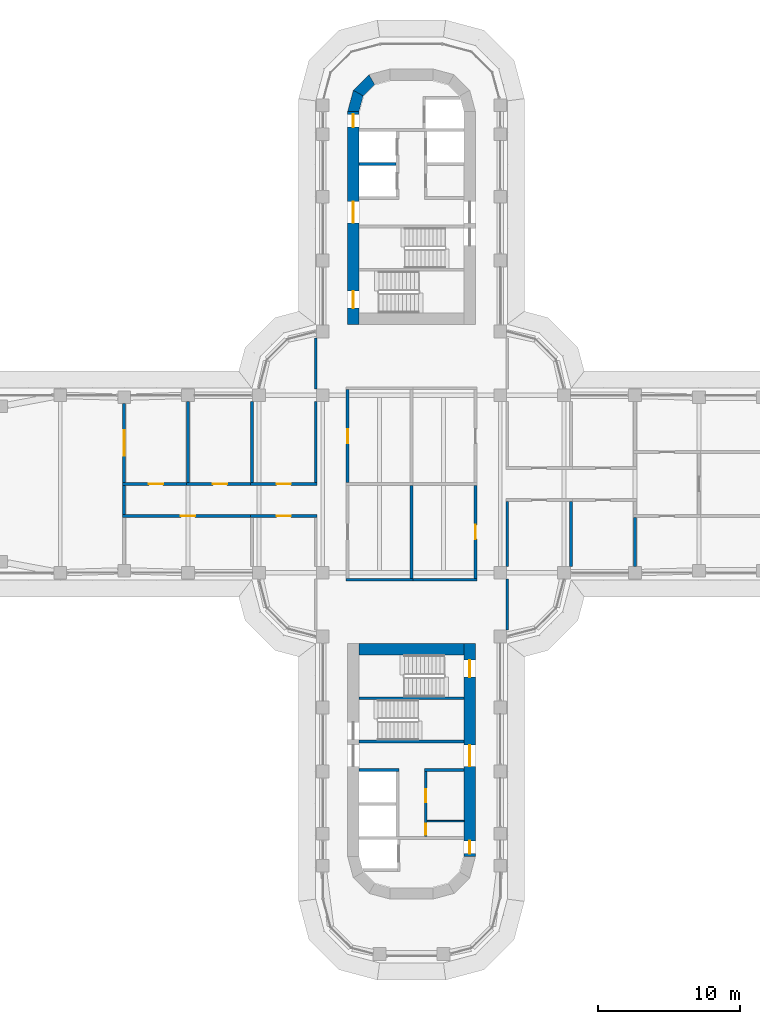
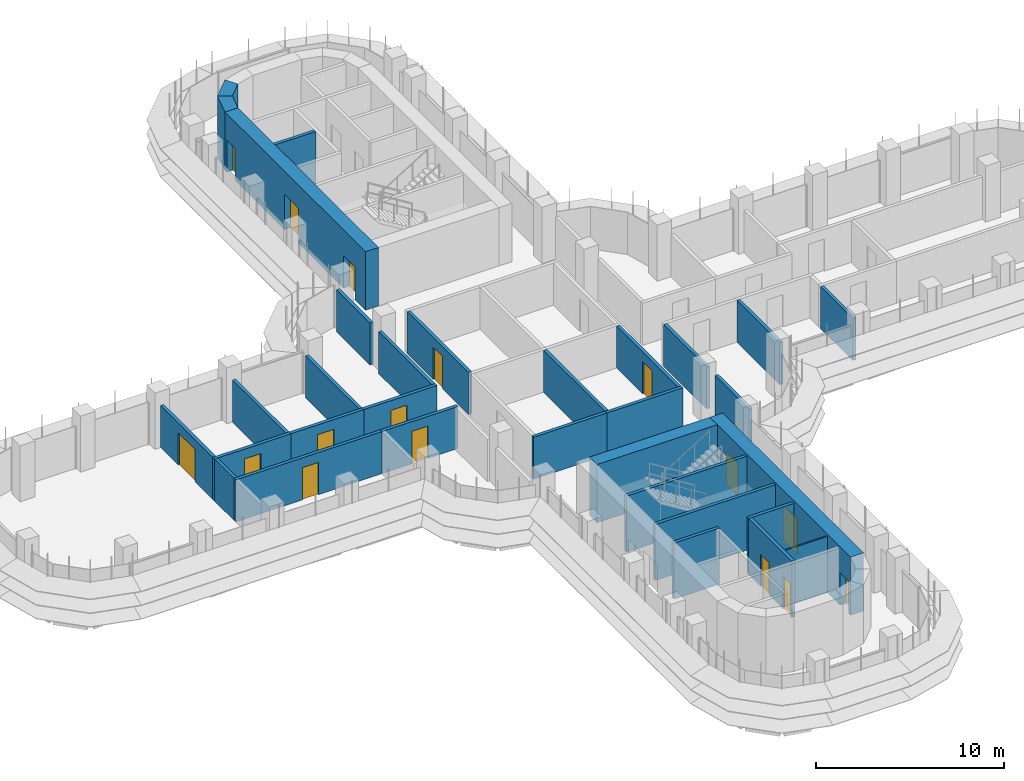
# One storey, part 16 of 22: 32 walls, 16 doors, 16 openings.
"""IFC4 building model written with IfcOpenShell, lengths in metres."""

from ifc_helpers import new_model, si_unit, direction, frame, frame_2d, origin, place, context, subcontext, project, spatial, polyline, rectangle, outline, extrude, material, layer, layer_set, type_object, element, fill, save


model = new_model("IFC4")

# Units and contexts
model_context = context("Model", 3, precision=1e-05, world=origin(), true_north=direction((0.0, 1.0)))
body_context = subcontext(model_context, "Body", "Model", "MODEL_VIEW")
ifc_project = project(units=[si_unit("LENGTHUNIT", "METRE"), si_unit("AREAUNIT", "SQUARE_METRE"), si_unit("VOLUMEUNIT", "CUBIC_METRE"), si_unit("PLANEANGLEUNIT", "RADIAN"), si_unit("MASSUNIT", "GRAM", prefix="KILO")], contexts=[model_context])

# Site, building, storey
site_placement = place(None, origin())
site = spatial("IfcSite", under=ifc_project, at=site_placement, CompositionType="ELEMENT")
building_placement = place(site_placement, origin())
building = spatial("IfcBuilding", under=site, at=building_placement, Name="Zarbagh Exchange Tower", CompositionType="ELEMENT")
storey_placement = place(building_placement, frame((0.0, 0.0, 113.199951171875)))
storey = spatial("IfcBuildingStorey", under=building, at=storey_placement, Name="L26", CompositionType="ELEMENT", Elevation=113.199951171875)

# Wall
ifc_material_1 = material(Name="Dense blockwork", Category="masonry")
ifc_layer_1 = layer(ifc_material_1, 0.10009765625)
ifc_layer_set_1 = layer_set([ifc_layer_1], Name="Core partition 100 mm blockwork")
wall_type_1 = type_object("IfcWallType", Name="Core partition 100 mm blockwork", PredefinedType="PARTITIONING", material=ifc_layer_set_1)
wall_1_placement = place(storey_placement, frame((3.699951171875, -23.75, 0.0), z_axis=(0.0, 0.0, 1.0), x_axis=(-1.0, 0.0, 0.0)))
element("IfcWall", 1, at=wall_1_placement, inside=storey, type_object=wall_type_1, Name="South core partition wall CUT-W-460", PredefinedType="PARTITIONING", context=body_context, shape_type="SweptSolid", body=[
    extrude(rectangle(XDim=2.599853515625, YDim=0.10009765625, at=frame_2d((1.2998046875, 0.0))), origin(), (0.0, 0.0, 1.0), 3.650146484375),
])

# Wall, opening, door
ifc_material_2 = material(Name="Fire-rated plasterboard partition")
ifc_layer_2 = layer(ifc_material_2, 0.199951171875)
ifc_layer_set_2 = layer_set([ifc_layer_2], Name="RATED PARTITION 200")
wall_type_2 = type_object("IfcWallType", Name="RATED PARTITION 200", PredefinedType="PARTITIONING", material=ifc_layer_set_2)
wall_2_placement = place(storey_placement, frame((-4.5, 6.64990234375, 0.0), z_axis=(0.0, 0.0, 1.0), x_axis=(0.0, -1.0, 0.0)))
wall_2 = element("IfcWall", 2, at=wall_2_placement, inside=storey, type_object=wall_type_2, Name="Partition W-901", PredefinedType="PARTITIONING", context=body_context, shape_type="SweptSolid", body=[
    extrude(rectangle(XDim=6.5498046875, YDim=0.199951171875, at=frame_2d((3.27490234375, 0.0))), origin(), (0.0, 0.0, 1.0), 2.738037109375),
])
opening_1_placement = place(wall_2_placement, frame((2.77490234375, 0.0, 0.0)))
opening_1 = element("IfcOpeningElement", 3, at=opening_1_placement, cuts=wall_2, Name="Opening D-902", PredefinedType="OPENING", context=body_context, shape_type="SweptSolid", body=[
    extrude(rectangle(XDim=1.0, YDim=2.10009765625, at=frame_2d((0.5, 1.050048828125))), frame((0.0, 0.10986328125, 0.0), z_axis=(0.0, -1.0, 0.0), x_axis=(1.0, 0.0, 0.0)), (0.0, 0.0, 1.0), 0.219970703125),
])
ifc_material_3 = material(Name="Steel door set", Category="steel")
door_type_1 = type_object("IfcDoorType", Name="FIRE DOOR 1000 X 2100 FD30S", OperationType="NOTDEFINED", PredefinedType="DOOR", material=ifc_material_3)
door_1_placement = place(opening_1_placement, origin())
door_1 = element("IfcDoor", 4, at=door_1_placement, inside=storey, type_object=door_type_1, Name="Door D-902", OperationType="SINGLE_SWING_RIGHT", OverallHeight=2.10009765625, OverallWidth=1.0, PredefinedType="DOOR", context=body_context, shape_type="SweptSolid", body=[
    extrude(rectangle(XDim=1.0, YDim=2.10009765625, at=frame_2d((0.5, 1.050048828125))), frame((0.0, 0.02490234375, 0.0), z_axis=(0.0, -1.0, 0.0), x_axis=(1.0, 0.0, 0.0)), (0.0, 0.0, 1.0), 0.050048828125),
])
fill(opening_1, door_1)

# Walls
wall_3_placement = place(storey_placement, frame((-6.75, 0.10009765625, 0.0), z_axis=(0.0, 0.0, 1.0), x_axis=(0.0, 1.0, 0.0)))
element("IfcWall", 5, at=wall_3_placement, inside=storey, type_object=wall_type_2, Name="Partition W-903", PredefinedType="PARTITIONING", context=body_context, shape_type="SweptSolid", body=[
    extrude(rectangle(XDim=5.699951171875, YDim=0.199951171875, at=frame_2d((2.85009765625, 0.0))), origin(), (0.0, 0.0, 1.0), 2.738037109375),
])
wall_4_placement = place(storey_placement, frame((-6.75, 6.699951171875, 0.0), z_axis=(0.0, 0.0, 1.0), x_axis=(0.0, 1.0, 0.0)))
element("IfcWall", 6, at=wall_4_placement, inside=storey, type_object=wall_type_2, Name="Partition W-904", PredefinedType="PARTITIONING", context=body_context, shape_type="SweptSolid", body=[
    extrude(rectangle(XDim=3.60009765625, YDim=0.199951171875, at=frame_2d((1.800048828125, 0.0))), origin(), (0.0, 0.0, 1.0), 2.738037109375),
])

# Wall, opening, door
wall_5_placement = place(storey_placement, frame((4.5, -6.64990234375, 0.0), z_axis=(0.0, 0.0, 1.0), x_axis=(0.0, 1.0, 0.0)))
wall_5 = element("IfcWall", 7, at=wall_5_placement, inside=storey, type_object=wall_type_2, Name="Partition W-908", PredefinedType="PARTITIONING", context=body_context, shape_type="SweptSolid", body=[
    extrude(rectangle(XDim=6.5498046875, YDim=0.199951171875, at=frame_2d((3.27490234375, 0.0))), origin(), (0.0, 0.0, 1.0), 2.738037109375),
])
opening_2_placement = place(wall_5_placement, frame((2.77490234375, 0.0, 0.0)))
opening_2 = element("IfcOpeningElement", 8, at=opening_2_placement, cuts=wall_5, Name="Opening D-903", PredefinedType="OPENING", context=body_context, shape_type="SweptSolid", body=[
    extrude(rectangle(XDim=1.0, YDim=2.10009765625, at=frame_2d((0.5, 1.050048828125))), frame((0.0, 0.10986328125, 0.0), z_axis=(0.0, -1.0, 0.0), x_axis=(1.0, 0.0, 0.0)), (0.0, 0.0, 1.0), 0.219970703125),
])
door_2_placement = place(opening_2_placement, origin())
door_2 = element("IfcDoor", 9, at=door_2_placement, inside=storey, type_object=door_type_1, Name="Door D-903", OperationType="SINGLE_SWING_RIGHT", OverallHeight=2.10009765625, OverallWidth=1.0, PredefinedType="DOOR", context=body_context, shape_type="SweptSolid", body=[
    extrude(rectangle(XDim=1.0, YDim=2.10009765625, at=frame_2d((0.5, 1.050048828125))), frame((0.0, 0.02490234375, 0.0), z_axis=(0.0, -1.0, 0.0), x_axis=(1.0, 0.0, 0.0)), (0.0, 0.0, 1.0), 0.050048828125),
])
fill(opening_2, door_2)

# Walls
wall_6_placement = place(storey_placement, frame((6.75, -10.300048828125, 0.0), z_axis=(0.0, 0.0, 1.0), x_axis=(0.0, 1.0, 0.0)))
element("IfcWall", 10, at=wall_6_placement, inside=storey, type_object=wall_type_2, Name="Partition W-911", PredefinedType="PARTITIONING", context=body_context, shape_type="SweptSolid", body=[
    extrude(rectangle(XDim=3.60009765625, YDim=0.199951171875, at=frame_2d((1.800048828125, 0.0))), origin(), (0.0, 0.0, 1.0), 2.738037109375),
])
wall_7_placement = place(storey_placement, frame((6.75, -5.800048828125, 0.0), z_axis=(0.0, 0.0, 1.0), x_axis=(0.0, 1.0, 0.0)))
element("IfcWall", 11, at=wall_7_placement, inside=storey, type_object=wall_type_2, Name="Partition W-912", PredefinedType="PARTITIONING", context=body_context, shape_type="SweptSolid", body=[
    extrude(rectangle(XDim=4.574951171875, YDim=0.199951171875, at=frame_2d((2.28759765625, 0.0))), origin(), (0.0, 0.0, 1.0), 2.738037109375),
])
for number, where, z_axis, x_axis, name in (
    (12, (-4.60009765625, -6.75, 0.0), (0.0, 0.0, 1.0), (1.0, 0.0, 0.0), "Partition W-915"),
    (13, (-0.10009765625, -6.75, 0.0), (0.0, 0.0, 1.0), (1.0, 0.0, 0.0), "Partition W-916"),
):
    element("IfcWall", number, at=place(storey_placement, frame(where, z_axis=z_axis, x_axis=x_axis)), inside=storey, type_object=wall_type_2, Name=name, PredefinedType="PARTITIONING", context=body_context, shape_type="SweptSolid", body=[
        extrude(rectangle(XDim=4.7001953125, YDim=0.199951171875, at=frame_2d((2.35009765625, 0.0))), origin(), (0.0, 0.0, 1.0), 2.738037109375),
    ])
wall_8_placement = place(storey_placement, frame((0.0, -6.64990234375, 0.0), z_axis=(0.0, 0.0, 1.0), x_axis=(0.0, 1.0, 0.0)))
element("IfcWall", 14, at=wall_8_placement, inside=storey, type_object=wall_type_2, Name="Partition W-920", PredefinedType="PARTITIONING", context=body_context, shape_type="SweptSolid", body=[
    extrude(rectangle(XDim=6.5498046875, YDim=0.199951171875, at=frame_2d((3.27490234375, 0.0))), origin(), (0.0, 0.0, 1.0), 2.738037109375),
])
wall_9_placement = place(storey_placement, frame((11.25, -5.800048828125, 0.0), z_axis=(0.0, 0.0, 1.0), x_axis=(0.0, 1.0, 0.0)))
element("IfcWall", 15, at=wall_9_placement, inside=storey, type_object=wall_type_2, Name="Partition W-926", PredefinedType="PARTITIONING", context=body_context, shape_type="SweptSolid", body=[
    extrude(rectangle(XDim=4.574951171875, YDim=0.199951171875, at=frame_2d((2.28759765625, 0.0))), origin(), (0.0, 0.0, 1.0), 2.738037109375),
])
wall_10_placement = place(storey_placement, frame((15.75, -5.800048828125, 0.0), z_axis=(0.0, 0.0, 1.0), x_axis=(0.0, 1.0, 0.0)))
element("IfcWall", 16, at=wall_10_placement, inside=storey, type_object=wall_type_2, Name="Partition W-930", PredefinedType="PARTITIONING", context=body_context, shape_type="SweptSolid", body=[
    extrude(rectangle(XDim=3.449951171875, YDim=0.199951171875, at=frame_2d((1.72509765625, 0.0))), origin(), (0.0, 0.0, 1.0), 2.738037109375),
])

# Wall, opening, door
wall_11_placement = place(storey_placement, frame((-11.35009765625, 0.0, 0.0), z_axis=(0.0, 0.0, 1.0), x_axis=(1.0, 0.0, 0.0)))
wall_11 = element("IfcWall", 17, at=wall_11_placement, inside=storey, type_object=wall_type_2, Name="Partition W-938", PredefinedType="PARTITIONING", context=body_context, shape_type="SweptSolid", body=[
    extrude(rectangle(XDim=4.7001953125, YDim=0.199951171875, at=frame_2d((2.35009765625, 0.0))), origin(), (0.0, 0.0, 1.0), 2.738037109375),
])
opening_3_placement = place(wall_11_placement, frame((1.85009765625, 0.0, 0.0)))
opening_3 = element("IfcOpeningElement", 18, at=opening_3_placement, cuts=wall_11, Name="Opening D-913", PredefinedType="OPENING", context=body_context, shape_type="SweptSolid", body=[
    extrude(rectangle(XDim=1.0, YDim=2.10009765625, at=frame_2d((0.5, 1.050048828125))), frame((0.0, 0.10986328125, 0.0), z_axis=(0.0, -1.0, 0.0), x_axis=(1.0, 0.0, 0.0)), (0.0, 0.0, 1.0), 0.219970703125),
])
door_3_placement = place(opening_3_placement, origin())
door_3 = element("IfcDoor", 19, at=door_3_placement, inside=storey, type_object=door_type_1, Name="Door D-913", OperationType="SINGLE_SWING_RIGHT", OverallHeight=2.10009765625, OverallWidth=1.0, PredefinedType="DOOR", context=body_context, shape_type="SweptSolid", body=[
    extrude(rectangle(XDim=1.0, YDim=2.10009765625, at=frame_2d((0.5, 1.050048828125))), frame((0.0, 0.02490234375, 0.0), z_axis=(0.0, -1.0, 0.0), x_axis=(1.0, 0.0, 0.0)), (0.0, 0.0, 1.0), 0.050048828125),
])
fill(opening_3, door_3)

wall_12_placement = place(storey_placement, frame((-6.64990234375, -2.25, 0.0), z_axis=(0.0, 0.0, 1.0), x_axis=(-1.0, 0.0, 0.0)))
wall_12 = element("IfcWall", 20, at=wall_12_placement, inside=storey, type_object=wall_type_2, Name="Partition W-939", PredefinedType="PARTITIONING", context=body_context, shape_type="SweptSolid", body=[
    extrude(rectangle(XDim=4.7001953125, YDim=0.199951171875, at=frame_2d((2.35009765625, 0.0))), origin(), (0.0, 0.0, 1.0), 2.738037109375),
])
opening_4_placement = place(wall_12_placement, frame((1.85009765625, 0.0, 0.0)))
opening_4 = element("IfcOpeningElement", 21, at=opening_4_placement, cuts=wall_12, Name="Opening D-916", PredefinedType="OPENING", context=body_context, shape_type="SweptSolid", body=[
    extrude(rectangle(XDim=1.0, YDim=2.10009765625, at=frame_2d((0.5, 1.050048828125))), frame((0.0, 0.10986328125, 0.0), z_axis=(0.0, -1.0, 0.0), x_axis=(1.0, 0.0, 0.0)), (0.0, 0.0, 1.0), 0.219970703125),
])
door_4_placement = place(opening_4_placement, origin())
door_4 = element("IfcDoor", 22, at=door_4_placement, inside=storey, type_object=door_type_1, Name="Door D-916", OperationType="SINGLE_SWING_RIGHT", OverallHeight=2.10009765625, OverallWidth=1.0, PredefinedType="DOOR", context=body_context, shape_type="SweptSolid", body=[
    extrude(rectangle(XDim=1.0, YDim=2.10009765625, at=frame_2d((0.5, 1.050048828125))), frame((0.0, 0.02490234375, 0.0), z_axis=(0.0, -1.0, 0.0), x_axis=(1.0, 0.0, 0.0)), (0.0, 0.0, 1.0), 0.050048828125),
])
fill(opening_4, door_4)

wall_13_placement = place(storey_placement, frame((-15.85009765625, 0.0, 0.0), z_axis=(0.0, 0.0, 1.0), x_axis=(1.0, 0.0, 0.0)))
wall_13 = element("IfcWall", 23, at=wall_13_placement, inside=storey, type_object=wall_type_2, Name="Partition W-940", PredefinedType="PARTITIONING", context=body_context, shape_type="SweptSolid", body=[
    extrude(rectangle(XDim=4.7001953125, YDim=0.199951171875, at=frame_2d((2.35009765625, 0.0))), origin(), (0.0, 0.0, 1.0), 2.738037109375),
])
opening_5_placement = place(wall_13_placement, frame((1.85009765625, 0.0, 0.0)))
opening_5 = element("IfcOpeningElement", 24, at=opening_5_placement, cuts=wall_13, Name="Opening D-914", PredefinedType="OPENING", context=body_context, shape_type="SweptSolid", body=[
    extrude(rectangle(XDim=1.0, YDim=2.10009765625, at=frame_2d((0.5, 1.050048828125))), frame((0.0, 0.10986328125, 0.0), z_axis=(0.0, -1.0, 0.0), x_axis=(1.0, 0.0, 0.0)), (0.0, 0.0, 1.0), 0.219970703125),
])
door_5_placement = place(opening_5_placement, origin())
door_5 = element("IfcDoor", 25, at=door_5_placement, inside=storey, type_object=door_type_1, Name="Door D-914", OperationType="SINGLE_SWING_RIGHT", OverallHeight=2.10009765625, OverallWidth=1.0, PredefinedType="DOOR", context=body_context, shape_type="SweptSolid", body=[
    extrude(rectangle(XDim=1.0, YDim=2.10009765625, at=frame_2d((0.5, 1.050048828125))), frame((0.0, 0.02490234375, 0.0), z_axis=(0.0, -1.0, 0.0), x_axis=(1.0, 0.0, 0.0)), (0.0, 0.0, 1.0), 0.050048828125),
])
fill(opening_5, door_5)

wall_14_placement = place(storey_placement, frame((-20.35009765625, 0.0, 0.0), z_axis=(0.0, 0.0, 1.0), x_axis=(1.0, 0.0, 0.0)))
wall_14 = element("IfcWall", 26, at=wall_14_placement, inside=storey, type_object=wall_type_2, Name="Partition W-941", PredefinedType="PARTITIONING", context=body_context, shape_type="SweptSolid", body=[
    extrude(rectangle(XDim=4.7001953125, YDim=0.199951171875, at=frame_2d((2.35009765625, 0.0))), origin(), (0.0, 0.0, 1.0), 2.738037109375),
])
opening_6_placement = place(wall_14_placement, frame((1.85009765625, 0.0, 0.0)))
opening_6 = element("IfcOpeningElement", 27, at=opening_6_placement, cuts=wall_14, Name="Opening D-915", PredefinedType="OPENING", context=body_context, shape_type="SweptSolid", body=[
    extrude(rectangle(XDim=1.0, YDim=2.10009765625, at=frame_2d((0.5, 1.050048828125))), frame((0.0, 0.10986328125, 0.0), z_axis=(0.0, -1.0, 0.0), x_axis=(1.0, 0.0, 0.0)), (0.0, 0.0, 1.0), 0.219970703125),
])
door_6_placement = place(opening_6_placement, origin())
door_6 = element("IfcDoor", 28, at=door_6_placement, inside=storey, type_object=door_type_1, Name="Door D-915", OperationType="SINGLE_SWING_RIGHT", OverallHeight=2.10009765625, OverallWidth=1.0, PredefinedType="DOOR", context=body_context, shape_type="SweptSolid", body=[
    extrude(rectangle(XDim=1.0, YDim=2.10009765625, at=frame_2d((0.5, 1.050048828125))), frame((0.0, 0.02490234375, 0.0), z_axis=(0.0, -1.0, 0.0), x_axis=(1.0, 0.0, 0.0)), (0.0, 0.0, 1.0), 0.050048828125),
])
fill(opening_6, door_6)

wall_15_placement = place(storey_placement, frame((-11.14990234375, -2.25, 0.0), z_axis=(0.0, 0.0, 1.0), x_axis=(-1.0, 0.0, 0.0)))
wall_15 = element("IfcWall", 29, at=wall_15_placement, inside=storey, type_object=wall_type_2, Name="Partition W-942", PredefinedType="PARTITIONING", context=body_context, shape_type="SweptSolid", body=[
    extrude(rectangle(XDim=9.2001953125, YDim=0.199951171875, at=frame_2d((4.60009765625, 0.0))), origin(), (0.0, 0.0, 1.0), 2.738037109375),
])
opening_7_placement = place(wall_15_placement, frame((4.10009765625, 0.0, 0.0)))
opening_7 = element("IfcOpeningElement", 30, at=opening_7_placement, cuts=wall_15, Name="Opening D-917", PredefinedType="OPENING", context=body_context, shape_type="SweptSolid", body=[
    extrude(rectangle(XDim=1.0, YDim=2.10009765625, at=frame_2d((0.5, 1.050048828125))), frame((0.0, 0.10986328125, 0.0), z_axis=(0.0, -1.0, 0.0), x_axis=(1.0, 0.0, 0.0)), (0.0, 0.0, 1.0), 0.219970703125),
])
door_7_placement = place(opening_7_placement, origin())
door_7 = element("IfcDoor", 31, at=door_7_placement, inside=storey, type_object=door_type_1, Name="Door D-917", OperationType="SINGLE_SWING_LEFT", OverallHeight=2.10009765625, OverallWidth=1.0, PredefinedType="DOOR", context=body_context, shape_type="SweptSolid", body=[
    extrude(rectangle(XDim=1.0, YDim=2.10009765625, at=frame_2d((0.5, 1.050048828125))), frame((0.0, 0.02490234375, 0.0), z_axis=(0.0, -1.0, 0.0), x_axis=(1.0, 0.0, 0.0)), (0.0, 0.0, 1.0), 0.050048828125),
])
fill(opening_7, door_7)

# Walls
wall_16_placement = place(storey_placement, frame((-20.25, -2.14990234375, 0.0), z_axis=(0.0, 0.0, 1.0), x_axis=(0.0, 1.0, 0.0)))
element("IfcWall", 32, at=wall_16_placement, inside=storey, type_object=wall_type_2, Name="Partition W-943", PredefinedType="PARTITIONING", context=body_context, shape_type="SweptSolid", body=[
    extrude(rectangle(XDim=2.0498046875, YDim=0.199951171875, at=frame_2d((1.02490234375, 0.0))), origin(), (0.0, 0.0, 1.0), 2.738037109375),
])
for number, where, z_axis, x_axis, name in (
    (33, (-11.25, 0.10009765625, 0.0), (0.0, 0.0, 1.0), (0.0, 1.0, 0.0), "Partition W-944"),
    (34, (-15.75, 0.10009765625, 0.0), (0.0, 0.0, 1.0), (0.0, 1.0, 0.0), "Partition W-946"),
):
    element("IfcWall", number, at=place(storey_placement, frame(where, z_axis=z_axis, x_axis=x_axis)), inside=storey, type_object=wall_type_2, Name=name, PredefinedType="PARTITIONING", context=body_context, shape_type="SweptSolid", body=[
        extrude(rectangle(XDim=5.699951171875, YDim=0.199951171875, at=frame_2d((2.85009765625, 0.0))), origin(), (0.0, 0.0, 1.0), 2.738037109375),
    ])

# Wall, opening, door
wall_17_placement = place(storey_placement, frame((-20.25, 0.10009765625, 0.0), z_axis=(0.0, 0.0, 1.0), x_axis=(0.0, 1.0, 0.0)))
wall_17 = element("IfcWall", 35, at=wall_17_placement, inside=storey, type_object=wall_type_2, Name="Partition W-947", PredefinedType="PARTITIONING", context=body_context, shape_type="SweptSolid", body=[
    extrude(rectangle(XDim=5.559814453125, YDim=0.199951171875, at=frame_2d((2.77978515625, 0.0))), origin(), (0.0, 0.0, 1.0), 2.738037109375),
])
opening_8_placement = place(wall_17_placement, frame((1.8798828125, 0.0, 0.0)))
opening_8 = element("IfcOpeningElement", 36, at=opening_8_placement, cuts=wall_17, Name="Opening D-912", PredefinedType="OPENING", context=body_context, shape_type="SweptSolid", body=[
    extrude(rectangle(XDim=1.800048828125, YDim=2.10009765625, at=frame_2d((0.89990234375, 1.050048828125))), frame((0.0, 0.10986328125, 0.0), z_axis=(0.0, -1.0, 0.0), x_axis=(1.0, 0.0, 0.0)), (0.0, 0.0, 1.0), 0.219970703125),
])
door_type_2 = type_object("IfcDoorType", Name="FIRE DOUBLE DOOR 1800 X 2100 FD30S", OperationType="DOUBLE_DOOR_SINGLE_SWING", PredefinedType="DOOR", material=ifc_material_3)
door_8_placement = place(opening_8_placement, origin())
door_8 = element("IfcDoor", 37, at=door_8_placement, inside=storey, type_object=door_type_2, Name="Door D-912", OperationType="DOUBLE_DOOR_SINGLE_SWING", OverallHeight=2.10009765625, OverallWidth=1.800048828125, PredefinedType="DOOR", context=body_context, shape_type="SweptSolid", body=[
    extrude(rectangle(XDim=1.800048828125, YDim=2.10009765625, at=frame_2d((0.89990234375, 1.050048828125))), frame((0.0, 0.02490234375, 0.0), z_axis=(0.0, -1.0, 0.0), x_axis=(1.0, 0.0, 0.0)), (0.0, 0.0, 1.0), 0.050048828125),
])
fill(opening_8, door_8)

# Walls
ifc_material_4 = material(Name="Concrete C60/75", Category="concrete")
ifc_layer_3 = layer(ifc_material_4, 0.800048828125)
ifc_layer_set_3 = layer_set([ifc_layer_3], Name="RC core corner wall 800 C60/75")
wall_type_3 = type_object("IfcWallType", Name="RC core corner wall 800 C60/75", PredefinedType="SHEAR", material=ifc_layer_set_3)
wall_18_placement = place(storey_placement, origin())
element("IfcWall", 38, at=wall_18_placement, inside=storey, type_object=wall_type_3, Name="CW4 core N corner W", PredefinedType="SHEAR", context=body_context, shape_type="SweptSolid", body=[
    extrude(outline(polyline([(-4.5, 26.25), (-4.09814453125, 27.75), (-3.4052734375, 27.35009765625), (-3.699951171875, 26.25), (-4.5, 26.25)])), origin(), (0.0, 0.0, 1.0), 3.800048828125),
])
wall_19_placement = place(storey_placement, origin())
element("IfcWall", 39, at=wall_19_placement, inside=storey, type_object=wall_type_3, Name="CW4 core N corner W", PredefinedType="SHEAR", context=body_context, shape_type="SweptSolid", body=[
    extrude(outline(polyline([(-4.09814453125, 27.75), (-3.0, 28.84814453125), (-2.60009765625, 28.1552734375), (-3.4052734375, 27.35009765625), (-4.09814453125, 27.75)])), origin(), (0.0, 0.0, 1.0), 3.800048828125),
])

# Wall, openings, doors
ifc_layer_4 = layer(ifc_material_4, 0.800048828125)
ifc_layer_set_4 = layer_set([ifc_layer_4], Name="RC core wall 800 C60/75")
wall_type_4 = type_object("IfcWallType", Name="RC core wall 800 C60/75", PredefinedType="SHEAR", material=ifc_layer_set_4)
wall_20_placement = place(storey_placement, frame((-4.10009765625, 11.25, 0.0), z_axis=(0.0, 0.0, 1.0), x_axis=(0.0, 1.0, 0.0)))
wall_20 = element("IfcWall", 40, at=wall_20_placement, inside=storey, type_object=wall_type_4, Name="CW3 core N W", PredefinedType="SHEAR", context=body_context, shape_type="SweptSolid", body=[
    extrude(rectangle(XDim=15.0, YDim=0.800048828125, at=frame_2d((7.5, 0.0))), origin(), (0.0, 0.0, 1.0), 3.800048828125),
])
opening_9_placement = place(wall_20_placement, frame((7.14990234375, 0.0, 0.0)))
opening_9 = element("IfcOpeningElement", 41, at=opening_9_placement, cuts=wall_20, Name="Opening CD1-1500", PredefinedType="OPENING", context=body_context, shape_type="SweptSolid", body=[
    extrude(rectangle(XDim=1.5, YDim=2.300048828125, at=frame_2d((0.75, 1.14990234375))), frame((0.0, 0.409912109375, 0.0), z_axis=(0.0, -1.0, 0.0), x_axis=(1.0, 0.0, 0.0)), (0.0, 0.0, 1.0), 0.820068359375),
])
opening_10_placement = place(wall_20_placement, frame((13.89990234375, 0.0, 0.0)))
opening_10 = element("IfcOpeningElement", 42, at=opening_10_placement, cuts=wall_20, Name="Opening CD2-900", PredefinedType="OPENING", context=body_context, shape_type="SweptSolid", body=[
    extrude(rectangle(XDim=0.89990234375, YDim=2.10009765625, at=frame_2d((0.449951171875, 1.050048828125))), frame((0.0, 0.409912109375, 0.0), z_axis=(0.0, -1.0, 0.0), x_axis=(1.0, 0.0, 0.0)), (0.0, 0.0, 1.0), 0.820068359375),
])
opening_11_placement = place(wall_20_placement, frame((1.14990234375, 0.0, 0.0)))
opening_11 = element("IfcOpeningElement", 43, at=opening_11_placement, cuts=wall_20, Name="Opening SD1-1200", PredefinedType="OPENING", context=body_context, shape_type="SweptSolid", body=[
    extrude(rectangle(XDim=1.199951171875, YDim=2.10009765625, at=frame_2d((0.60009765625, 1.050048828125))), frame((0.0, 0.409912109375, 0.0), z_axis=(0.0, -1.0, 0.0), x_axis=(1.0, 0.0, 0.0)), (0.0, 0.0, 1.0), 0.820068359375),
])
ifc_material_5 = material(Name="Steel", Category="steel")
door_type_3 = type_object("IfcDoorType", Name="Exit stair door 1200 x 2100", OperationType="NOTDEFINED", PredefinedType="DOOR", material=ifc_material_5)
door_9_placement = place(opening_11_placement, origin())
door_9 = element("IfcDoor", 44, at=door_9_placement, inside=storey, type_object=door_type_3, Name="North core stair door ST2", OperationType="SINGLE_SWING_RIGHT", OverallHeight=2.10009765625, OverallWidth=1.199951171875, PredefinedType="DOOR", context=body_context, shape_type="SweptSolid", body=[
    extrude(rectangle(XDim=1.199951171875, YDim=2.10009765625, at=frame_2d((0.60009765625, 1.050048828125))), frame((0.0, 0.02490234375, 0.0), z_axis=(0.0, -1.0, 0.0), x_axis=(1.0, 0.0, 0.0)), (0.0, 0.0, 1.0), 0.050048828125),
])
fill(opening_11, door_9)
door_type_4 = type_object("IfcDoorType", Name="Firefighting lobby door 900 x 2100", OperationType="NOTDEFINED", PredefinedType="DOOR", material=ifc_material_5)
door_10_placement = place(opening_10_placement, origin())
door_10 = element("IfcDoor", 45, at=door_10_placement, inside=storey, type_object=door_type_4, Name="North core firefighting lobby door FF-W", OperationType="SINGLE_SWING_LEFT", OverallHeight=2.10009765625, OverallWidth=0.89990234375, PredefinedType="DOOR", context=body_context, shape_type="SweptSolid", body=[
    extrude(rectangle(XDim=0.89990234375, YDim=2.10009765625, at=frame_2d((0.449951171875, 1.050048828125))), frame((0.0, 0.02490234375, 0.0), z_axis=(0.0, -1.0, 0.0), x_axis=(1.0, 0.0, 0.0)), (0.0, 0.0, 1.0), 0.050048828125),
])
fill(opening_10, door_10)
door_type_5 = type_object("IfcDoorType", Name="Lift lobby double door 1500 x 2300", OperationType="NOTDEFINED", PredefinedType="DOOR", material=ifc_material_5)
door_11_placement = place(opening_9_placement, origin())
door_11 = element("IfcDoor", 46, at=door_11_placement, inside=storey, type_object=door_type_5, Name="North core lift lobby door LOBBY-W", OperationType="DOUBLE_DOOR_SINGLE_SWING", OverallHeight=2.300048828125, OverallWidth=1.5, PredefinedType="DOOR", context=body_context, shape_type="SweptSolid", body=[
    extrude(rectangle(XDim=1.5, YDim=2.300048828125, at=frame_2d((0.75, 1.14990234375))), frame((0.0, 0.02490234375, 0.0), z_axis=(0.0, -1.0, 0.0), x_axis=(1.0, 0.0, 0.0)), (0.0, 0.0, 1.0), 0.050048828125),
])
fill(opening_9, door_11)

wall_21_placement = place(storey_placement, frame((4.10009765625, -11.25, 0.0), z_axis=(0.0, 0.0, 1.0), x_axis=(0.0, -1.0, 0.0)))
wall_21 = element("IfcWall", 47, at=wall_21_placement, inside=storey, type_object=wall_type_4, Name="CW3 core S E", PredefinedType="SHEAR", context=body_context, shape_type="SweptSolid", body=[
    extrude(rectangle(XDim=15.0, YDim=0.800048828125, at=frame_2d((7.5, 0.0))), origin(), (0.0, 0.0, 1.0), 3.800048828125),
])
opening_12_placement = place(wall_21_placement, frame((7.14990234375, 0.0, 0.0)))
opening_12 = element("IfcOpeningElement", 48, at=opening_12_placement, cuts=wall_21, Name="Opening CD1-1500", PredefinedType="OPENING", context=body_context, shape_type="SweptSolid", body=[
    extrude(rectangle(XDim=1.5, YDim=2.300048828125, at=frame_2d((0.75, 1.14990234375))), frame((0.0, 0.409912109375, 0.0), z_axis=(0.0, -1.0, 0.0), x_axis=(1.0, 0.0, 0.0)), (0.0, 0.0, 1.0), 0.820068359375),
])
opening_13_placement = place(wall_21_placement, frame((13.89990234375, 0.0, 0.0)))
opening_13 = element("IfcOpeningElement", 49, at=opening_13_placement, cuts=wall_21, Name="Opening CD2-900", PredefinedType="OPENING", context=body_context, shape_type="SweptSolid", body=[
    extrude(rectangle(XDim=0.89990234375, YDim=2.10009765625, at=frame_2d((0.449951171875, 1.050048828125))), frame((0.0, 0.409912109375, 0.0), z_axis=(0.0, -1.0, 0.0), x_axis=(1.0, 0.0, 0.0)), (0.0, 0.0, 1.0), 0.820068359375),
])
opening_14_placement = place(wall_21_placement, frame((1.14990234375, 0.0, 0.0)))
opening_14 = element("IfcOpeningElement", 50, at=opening_14_placement, cuts=wall_21, Name="Opening SD1-1200", PredefinedType="OPENING", context=body_context, shape_type="SweptSolid", body=[
    extrude(rectangle(XDim=1.199951171875, YDim=2.10009765625, at=frame_2d((0.60009765625, 1.050048828125))), frame((0.0, 0.409912109375, 0.0), z_axis=(0.0, -1.0, 0.0), x_axis=(1.0, 0.0, 0.0)), (0.0, 0.0, 1.0), 0.820068359375),
])
door_12_placement = place(opening_14_placement, origin())
door_12 = element("IfcDoor", 51, at=door_12_placement, inside=storey, type_object=door_type_3, Name="South core stair door ST2", OperationType="SINGLE_SWING_LEFT", OverallHeight=2.10009765625, OverallWidth=1.199951171875, PredefinedType="DOOR", context=body_context, shape_type="SweptSolid", body=[
    extrude(rectangle(XDim=1.199951171875, YDim=2.10009765625, at=frame_2d((0.60009765625, 1.050048828125))), frame((0.0, 0.02490234375, 0.0), z_axis=(0.0, -1.0, 0.0), x_axis=(1.0, 0.0, 0.0)), (0.0, 0.0, 1.0), 0.050048828125),
])
fill(opening_14, door_12)
door_13_placement = place(opening_13_placement, origin())
door_13 = element("IfcDoor", 52, at=door_13_placement, inside=storey, type_object=door_type_4, Name="South core firefighting lobby door FF-W", OperationType="SINGLE_SWING_RIGHT", OverallHeight=2.10009765625, OverallWidth=0.89990234375, PredefinedType="DOOR", context=body_context, shape_type="SweptSolid", body=[
    extrude(rectangle(XDim=0.89990234375, YDim=2.10009765625, at=frame_2d((0.449951171875, 1.050048828125))), frame((0.0, 0.02490234375, 0.0), z_axis=(0.0, -1.0, 0.0), x_axis=(1.0, 0.0, 0.0)), (0.0, 0.0, 1.0), 0.050048828125),
])
fill(opening_13, door_13)
door_14_placement = place(opening_12_placement, origin())
door_14 = element("IfcDoor", 53, at=door_14_placement, inside=storey, type_object=door_type_5, Name="South core lift lobby door LOBBY-W", OperationType="DOUBLE_DOOR_SINGLE_SWING", OverallHeight=2.300048828125, OverallWidth=1.5, PredefinedType="DOOR", context=body_context, shape_type="SweptSolid", body=[
    extrude(rectangle(XDim=1.5, YDim=2.300048828125, at=frame_2d((0.75, 1.14990234375))), frame((0.0, 0.02490234375, 0.0), z_axis=(0.0, -1.0, 0.0), x_axis=(1.0, 0.0, 0.0)), (0.0, 0.0, 1.0), 0.050048828125),
])
fill(opening_12, door_14)

# Walls
wall_22_placement = place(storey_placement, frame((-3.699951171875, -11.64990234375, 0.0), z_axis=(0.0, 0.0, 1.0), x_axis=(1.0, 0.0, 0.0)))
element("IfcWall", 54, at=wall_22_placement, inside=storey, type_object=wall_type_4, Name="CW3 core S inner end", PredefinedType="SHEAR", context=body_context, shape_type="SweptSolid", body=[
    extrude(rectangle(XDim=7.39990234375, YDim=0.800048828125, at=frame_2d((3.699951171875, 0.0))), origin(), (0.0, 0.0, 1.0), 3.800048828125),
])
ifc_layer_5 = layer(ifc_material_1, 0.199951171875)
ifc_layer_set_5 = layer_set([ifc_layer_5], Name="Shaft wall 200 mm blockwork")
wall_type_5 = type_object("IfcWallType", Name="Shaft wall 200 mm blockwork", PredefinedType="PARTITIONING", material=ifc_layer_set_5)
wall_23_placement = place(storey_placement, frame((-3.699951171875, 22.550048828125, 0.0), z_axis=(0.0, 0.0, 1.0), x_axis=(1.0, 0.0, 0.0)))
element("IfcWall", 55, at=wall_23_placement, inside=storey, type_object=wall_type_5, Name="North core shaft wall TR-W", PredefinedType="PARTITIONING", context=body_context, shape_type="SweptSolid", body=[
    extrude(rectangle(XDim=2.599853515625, YDim=0.199951171875, at=frame_2d((1.2998046875, 0.0))), origin(), (0.0, 0.0, 1.0), 3.650146484375),
])
wall_24_placement = place(storey_placement, frame((3.699951171875, -20.14990234375, 0.0), z_axis=(0.0, 0.0, 1.0), x_axis=(-1.0, 0.0, 0.0)))
element("IfcWall", 56, at=wall_24_placement, inside=storey, type_object=wall_type_5, Name="South core shaft wall AB-W", PredefinedType="PARTITIONING", context=body_context, shape_type="SweptSolid", body=[
    extrude(rectangle(XDim=2.800048828125, YDim=0.199951171875, at=frame_2d((1.39990234375, 0.0))), origin(), (0.0, 0.0, 1.0), 3.650146484375),
])

# Wall, openings, doors
wall_25_placement = place(storey_placement, frame((1.0, -24.85009765625, 0.0), z_axis=(0.0, 0.0, 1.0), x_axis=(0.0, 1.0, 0.0)))
wall_25 = element("IfcWall", 57, at=wall_25_placement, inside=storey, type_object=wall_type_5, Name="South core shaft wall LW-W", PredefinedType="PARTITIONING", context=body_context, shape_type="SweptSolid", body=[
    extrude(rectangle(XDim=4.60009765625, YDim=0.199951171875, at=frame_2d((2.300048828125, 0.0))), origin(), (0.0, 0.0, 1.0), 3.650146484375),
])
opening_15_placement = place(wall_25_placement, frame((0.125, 0.0, 0.0)))
opening_15 = element("IfcOpeningElement", 58, at=opening_15_placement, cuts=wall_25, Name="Opening CD3-800", PredefinedType="OPENING", context=body_context, shape_type="SweptSolid", body=[
    extrude(rectangle(XDim=0.800048828125, YDim=2.10009765625, at=frame_2d((0.39990234375, 1.050048828125))), frame((0.0, 0.10986328125, 0.0), z_axis=(0.0, -1.0, 0.0), x_axis=(1.0, 0.0, 0.0)), (0.0, 0.0, 1.0), 0.219970703125),
])
opening_16_placement = place(wall_25_placement, frame((2.425048828125, 0.0, 0.0)))
opening_16 = element("IfcOpeningElement", 59, at=opening_16_placement, cuts=wall_25, Name="Opening CD3-900", PredefinedType="OPENING", context=body_context, shape_type="SweptSolid", body=[
    extrude(rectangle(XDim=0.89990234375, YDim=2.10009765625, at=frame_2d((0.449951171875, 1.050048828125))), frame((0.0, 0.10986328125, 0.0), z_axis=(0.0, -1.0, 0.0), x_axis=(1.0, 0.0, 0.0)), (0.0, 0.0, 1.0), 0.219970703125),
])
door_type_6 = type_object("IfcDoorType", Name="Core room door 800 x 2100", OperationType="NOTDEFINED", PredefinedType="DOOR", material=ifc_material_5)
door_15_placement = place(opening_15_placement, origin())
door_15 = element("IfcDoor", 60, at=door_15_placement, inside=storey, type_object=door_type_6, Name="South core Store door RD-W-0", OperationType="SINGLE_SWING_LEFT", OverallHeight=2.10009765625, OverallWidth=0.800048828125, PredefinedType="DOOR", context=body_context, shape_type="SweptSolid", body=[
    extrude(rectangle(XDim=0.800048828125, YDim=2.10009765625, at=frame_2d((0.39990234375, 1.050048828125))), frame((0.0, 0.02490234375, 0.0), z_axis=(0.0, -1.0, 0.0), x_axis=(1.0, 0.0, 0.0)), (0.0, 0.0, 1.0), 0.050048828125),
])
fill(opening_15, door_15)
door_type_7 = type_object("IfcDoorType", Name="Core room door 900 x 2100", OperationType="NOTDEFINED", PredefinedType="DOOR", material=ifc_material_5)
door_16_placement = place(opening_16_placement, origin())
door_16 = element("IfcDoor", 61, at=door_16_placement, inside=storey, type_object=door_type_7, Name="South core Staff WC door RD-W-1", OperationType="SINGLE_SWING_RIGHT", OverallHeight=2.10009765625, OverallWidth=0.89990234375, PredefinedType="DOOR", context=body_context, shape_type="SweptSolid", body=[
    extrude(rectangle(XDim=0.89990234375, YDim=2.10009765625, at=frame_2d((0.449951171875, 1.050048828125))), frame((0.0, 0.02490234375, 0.0), z_axis=(0.0, -1.0, 0.0), x_axis=(1.0, 0.0, 0.0)), (0.0, 0.0, 1.0), 0.050048828125),
])
fill(opening_16, door_16)

# Walls
wall_26_placement = place(storey_placement, frame((-0.89990234375, -20.14990234375, 0.0), z_axis=(0.0, 0.0, 1.0), x_axis=(-1.0, 0.0, 0.0)))
element("IfcWall", 62, at=wall_26_placement, inside=storey, type_object=wall_type_5, Name="South core shaft wall AB-E", PredefinedType="PARTITIONING", context=body_context, shape_type="SweptSolid", body=[
    extrude(rectangle(XDim=2.800048828125, YDim=0.199951171875, at=frame_2d((1.39990234375, 0.0))), origin(), (0.0, 0.0, 1.0), 3.650146484375),
])
ifc_material_6 = material(Name="Concrete C40/50", Category="concrete")
ifc_layer_6 = layer(ifc_material_6, 0.199951171875)
ifc_layer_set_6 = layer_set([ifc_layer_6], Name="Stair enclosure wall 200 mm RC C40/50")
wall_type_6 = type_object("IfcWallType", Name="Stair enclosure wall 200 mm RC C40/50", PredefinedType="SHEAR", material=ifc_layer_set_6)
for number, where, z_axis, x_axis, name in (
    (63, (3.699951171875, -18.14990234375, 0.0), (0.0, 0.0, 1.0), (-1.0, 0.0, 0.0), "South core stair wall BS"),
    (64, (3.699951171875, -15.10009765625, 0.0), (0.0, 0.0, 1.0), (-1.0, 0.0, 0.0), "South core stair wall ST12"),
):
    element("IfcWall", number, at=place(storey_placement, frame(where, z_axis=z_axis, x_axis=x_axis)), inside=storey, type_object=wall_type_6, Name=name, PredefinedType="SHEAR", context=body_context, shape_type="SweptSolid", body=[
        extrude(rectangle(XDim=7.39990234375, YDim=0.199951171875, at=frame_2d((3.699951171875, 0.0))), origin(), (0.0, 0.0, 1.0), 3.650146484375),
    ])

save(model, "model.ifc")
